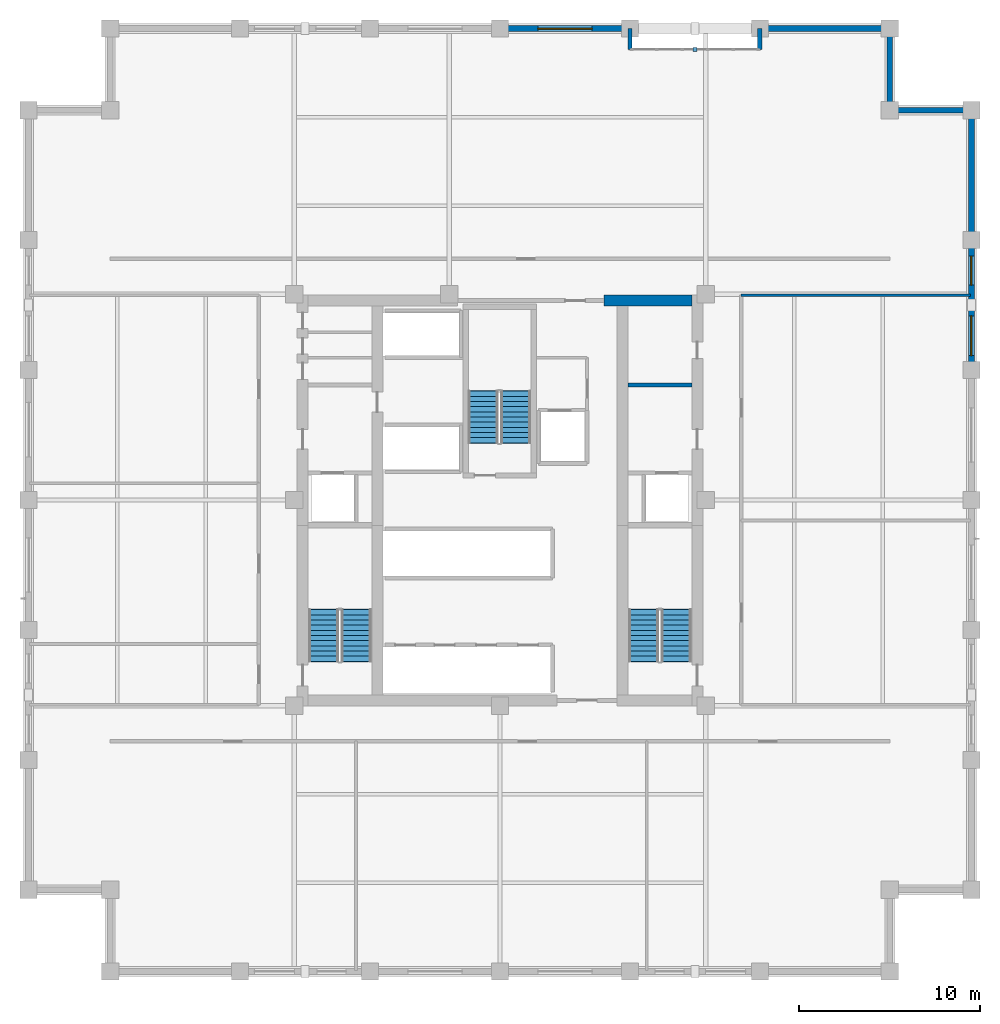
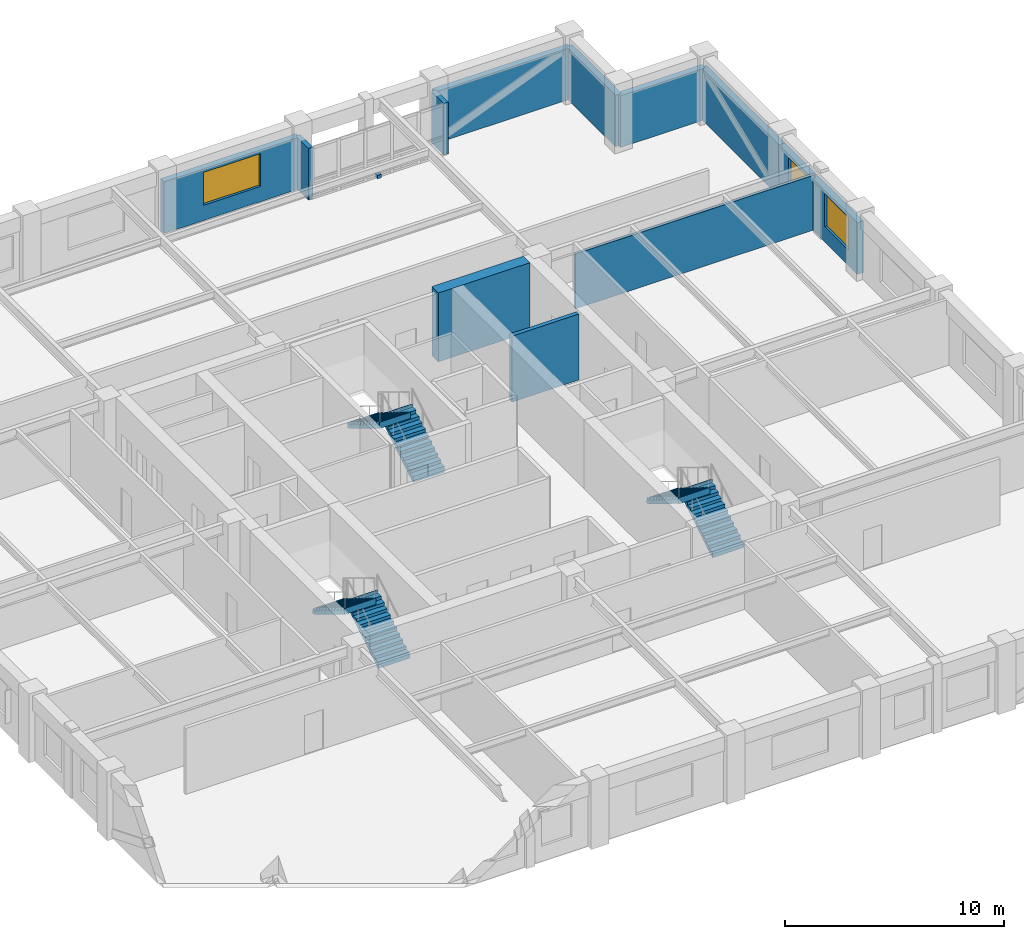
# One storey, part 9 of 11: 11 walls, 6 stair flights, 3 windows, 1 discrete accessory, 3 openings, 3 elements without a shape of their own.
"""IFC4 building model written with IfcOpenShell, lengths in metres."""

from ifc_helpers import new_model, si_unit, direction, frame, frame_2d, origin, origin_2d, place, context, subcontext, project, spatial, polyline, rectangle, outline, extrude, material, layer, layer_set, type_object, element, fill, aggregate, save


model = new_model("IFC4")

# Units and contexts
model_context = context("Model", 3, precision=1e-05, world=origin(), true_north=direction((0.0, 1.0)))
body_context = subcontext(model_context, "Body", "Model", "MODEL_VIEW")
ifc_project = project(units=[si_unit("LENGTHUNIT", "METRE"), si_unit("AREAUNIT", "SQUARE_METRE"), si_unit("VOLUMEUNIT", "CUBIC_METRE"), si_unit("PLANEANGLEUNIT", "RADIAN"), si_unit("MASSUNIT", "GRAM", prefix="KILO")], contexts=[model_context])

# Site, building, storey
site_placement = place(None, origin())
site = spatial("IfcSite", under=ifc_project, at=site_placement, CompositionType="ELEMENT")
building_placement = place(site_placement, origin())
building = spatial("IfcBuilding", under=site, at=building_placement, Name="Nhamokura Convention Tower", CompositionType="ELEMENT")
storey_placement = place(building_placement, frame((0.0, 0.0, 141.39990234375)))
storey = spatial("IfcBuildingStorey", under=building, at=storey_placement, Name="L34", CompositionType="ELEMENT", Elevation=141.39990234375)

# Walls
ifc_material_1 = material(Name="Bronze-pigmented precast concrete C45/55", Category="concrete")
ifc_layer_1 = layer(ifc_material_1, 0.320068359375)
ifc_layer_set_1 = layer_set([ifc_layer_1], Name="BronzePrecastSpandrel_320")
wall_type_1 = type_object("IfcWallType", Name="BronzePrecastSpandrel_320", PredefinedType="USERDEFINED", material=ifc_layer_set_1)
for number, where, z_axis, x_axis, name in (
    (1, (39.166748046875, 58.0, 0.0), (0.0, 0.0, 1.0), (0.0, -1.0, 0.0), "L34 Scale Slot Cheek Wall NORTHA"),
    (2, (46.333251953125, 58.0, 0.0), (0.0, 0.0, 1.0), (0.0, -1.0, 0.0), "L34 Scale Slot Cheek Wall NORTHB"),
):
    element("IfcWall", number, at=place(storey_placement, frame(where, z_axis=z_axis, x_axis=x_axis)), inside=storey, type_object=wall_type_1, Name=name, ObjectType="SPANDREL_WALL", PredefinedType="USERDEFINED", context=body_context, shape_type="SweptSolid", body=[
        extrude(rectangle(XDim=1.14990234375, YDim=0.239990234375, at=frame_2d((0.574951171875, 0.0))), origin(), (0.0, 0.0, 1.0), 2.885009765625),
    ])

# Wall, opening, window
wall_1_placement = place(storey_placement, frame((32.0, 58.0, 0.0), z_axis=(0.0, 0.0, 1.0), x_axis=(1.0, 0.0, 0.0)))
wall_1 = element("IfcWall", 3, at=wall_1_placement, inside=storey, type_object=wall_type_1, Name="L34 Masonry-Frame Wall NORTH 3", ObjectType="SPANDREL_WALL", PredefinedType="USERDEFINED", context=body_context, shape_type="SweptSolid", body=[
    extrude(rectangle(XDim=7.166748046875, YDim=0.320068359375, at=frame_2d((3.58349609375, 0.0))), origin(), (0.0, 0.0, 1.0), 2.885009765625),
])
opening_1_placement = place(wall_1_placement, frame((2.083251953125, 0.0, 0.85009765625)))
opening_1 = element("IfcOpeningElement", 4, at=opening_1_placement, cuts=wall_1, Name="Opening W-05", PredefinedType="OPENING", context=body_context, shape_type="SweptSolid", body=[
    extrude(rectangle(XDim=3.0, YDim=1.8349609375, at=frame_2d((1.5, 0.91748046875))), frame((0.0, 0.169921875, 0.0), z_axis=(0.0, -1.0, 0.0), x_axis=(1.0, 0.0, 0.0)), (0.0, 0.0, 1.0), 0.340087890625),
])
ifc_material_2 = material(Name="Solar-control bronze low-E double glass", Category="glass")
window_type_1 = type_object("IfcWindowType", Name="OfficeModuleWindow_Z2_3000", PartitioningType="DOUBLE_PANEL_VERTICAL", PredefinedType="WINDOW", material=ifc_material_2)
window_1_placement = place(opening_1_placement, origin())
window_1 = element("IfcWindow", 5, at=window_1_placement, inside=storey, type_object=window_type_1, Name="L34 Facade Window NORTH 3", OverallHeight=1.8349609375, OverallWidth=3.0, PartitioningType="SINGLE_PANEL", PredefinedType="WINDOW", context=body_context, shape_type="SweptSolid", body=[
    extrude(rectangle(XDim=3.0, YDim=1.8349609375, at=frame_2d((1.5, 0.91748046875))), frame((0.0, 0.030029296875, 0.0), z_axis=(0.0, -1.0, 0.0), x_axis=(1.0, 0.0, 0.0)), (0.0, 0.0, 1.0), 0.06005859375),
])
fill(opening_1, window_1)

# Wall
wall_2_placement = place(storey_placement, frame((46.333251953125, 58.0, 0.0), z_axis=(0.0, 0.0, 1.0), x_axis=(1.0, 0.0, 0.0)))
element("IfcWall", 6, at=wall_2_placement, inside=storey, type_object=wall_type_1, Name="L34 Braced-Bay Precast Wall NORTH 5", ObjectType="SPANDREL_WALL", PredefinedType="USERDEFINED", context=body_context, shape_type="SweptSolid", body=[
    extrude(rectangle(XDim=7.166748046875, YDim=0.320068359375, at=frame_2d((3.58349609375, 0.0))), origin(), (0.0, 0.0, 1.0), 2.885009765625),
])

# Wall, openings, windows
wall_3_placement = place(storey_placement, frame((58.0, 46.333251953125, 0.0), z_axis=(0.0, 0.0, 1.0), x_axis=(0.0, -1.0, 0.0)))
wall_3 = element("IfcWall", 7, at=wall_3_placement, inside=storey, type_object=wall_type_1, Name="L34 Masonry-Frame Wall EAST 4", ObjectType="SPANDREL_WALL", PredefinedType="USERDEFINED", context=body_context, shape_type="SweptSolid", body=[
    extrude(rectangle(XDim=7.16650390625, YDim=0.320068359375, at=frame_2d((3.583251953125, 0.0))), origin(), (0.0, 0.0, 1.0), 2.885009765625),
])
opening_2_placement = place(wall_3_placement, frame((0.879150390625, 0.0, 0.85009765625)))
opening_2 = element("IfcOpeningElement", 8, at=opening_2_placement, cuts=wall_3, Name="Opening W-11", PredefinedType="OPENING", context=body_context, shape_type="SweptSolid", body=[
    extrude(rectangle(XDim=1.60009765625, YDim=1.8349609375, at=frame_2d((0.800048828125, 0.91748046875))), frame((0.0, 0.169921875, 0.0), z_axis=(0.0, -1.0, 0.0), x_axis=(1.0, 0.0, 0.0)), (0.0, 0.0, 1.0), 0.340087890625),
])
opening_3_placement = place(wall_3_placement, frame((4.175048828125, 0.0, 0.85009765625)))
opening_3 = element("IfcOpeningElement", 9, at=opening_3_placement, cuts=wall_3, Name="Opening W-06", PredefinedType="OPENING", context=body_context, shape_type="SweptSolid", body=[
    extrude(rectangle(XDim=2.199951171875, YDim=1.8349609375, at=frame_2d((1.10009765625, 0.91748046875))), frame((0.0, 0.169921875, 0.0), z_axis=(0.0, -1.0, 0.0), x_axis=(1.0, 0.0, 0.0)), (0.0, 0.0, 1.0), 0.340087890625),
])
ifc_material_3 = material(Name="Solar-control bronze low-E double glass", Category="glass")
window_type_2 = type_object("IfcWindowType", Name="NotchCornerWindow_1600", PartitioningType="SINGLE_PANEL", PredefinedType="WINDOW", material=ifc_material_3)
window_2_placement = place(opening_2_placement, origin())
window_2 = element("IfcWindow", 10, at=window_2_placement, inside=storey, type_object=window_type_2, Name="L34 Facade Window EAST 4-1", OverallHeight=1.8349609375, OverallWidth=1.60009765625, PartitioningType="SINGLE_PANEL", PredefinedType="WINDOW", context=body_context, shape_type="SweptSolid", body=[
    extrude(rectangle(XDim=1.60009765625, YDim=1.8349609375, at=frame_2d((0.800048828125, 0.91748046875))), frame((0.0, 0.030029296875, 0.0), z_axis=(0.0, -1.0, 0.0), x_axis=(1.0, 0.0, 0.0)), (0.0, 0.0, 1.0), 0.06005859375),
])
fill(opening_2, window_2)
ifc_material_4 = material(Name="Solar-control bronze low-E double glass", Category="glass")
window_type_3 = type_object("IfcWindowType", Name="OfficeModuleWindow_Z2_2200", PartitioningType="SINGLE_PANEL", PredefinedType="WINDOW", material=ifc_material_4)
window_3_placement = place(opening_3_placement, origin())
window_3 = element("IfcWindow", 11, at=window_3_placement, inside=storey, type_object=window_type_3, Name="L34 Facade Window EAST 4-2", OverallHeight=1.8349609375, OverallWidth=2.199951171875, PartitioningType="SINGLE_PANEL", PredefinedType="WINDOW", context=body_context, shape_type="SweptSolid", body=[
    extrude(rectangle(XDim=2.199951171875, YDim=1.8349609375, at=frame_2d((1.10009765625, 0.91748046875))), frame((0.0, 0.030029296875, 0.0), z_axis=(0.0, -1.0, 0.0), x_axis=(1.0, 0.0, 0.0)), (0.0, 0.0, 1.0), 0.06005859375),
])
fill(opening_3, window_3)

# Walls
wall_4_placement = place(storey_placement, frame((58.0, 53.5, 0.0), z_axis=(0.0, 0.0, 1.0), x_axis=(0.0, -1.0, 0.0)))
element("IfcWall", 12, at=wall_4_placement, inside=storey, type_object=wall_type_1, Name="L34 Braced-Bay Precast Wall EAST 5", ObjectType="SPANDREL_WALL", PredefinedType="USERDEFINED", context=body_context, shape_type="SweptSolid", body=[
    extrude(rectangle(XDim=7.166748046875, YDim=0.320068359375, at=frame_2d((3.58349609375, 0.0))), origin(), (0.0, 0.0, 1.0), 2.885009765625),
])
for number, where, z_axis, x_axis, name in (
    (13, (53.5, 53.5, 0.0), (0.0, 0.0, 1.0), (1.0, 0.0, 0.0), "L34 Notched Corner Wall NE1"),
    (14, (53.5, 58.0, 0.0), (0.0, 0.0, 1.0), (0.0, -1.0, 0.0), "L34 Notched Corner Wall NE2"),
):
    element("IfcWall", number, at=place(storey_placement, frame(where, z_axis=z_axis, x_axis=x_axis)), inside=storey, type_object=wall_type_1, Name=name, ObjectType="SPANDREL_WALL", PredefinedType="USERDEFINED", context=body_context, shape_type="SweptSolid", body=[
        extrude(rectangle(XDim=4.5, YDim=0.320068359375, at=frame_2d((2.25, 0.0))), origin(), (0.0, 0.0, 1.0), 2.885009765625),
    ])
ifc_material_5 = material(Name="Concrete C60/75", Category="concrete")
ifc_layer_2 = layer(ifc_material_5, 0.60009765625)
ifc_layer_set_2 = layer_set([ifc_layer_2], Name="CoreShearWall_600")
wall_type_2 = type_object("IfcWallType", Name="CoreShearWall_600", PredefinedType="SHEAR", material=ifc_layer_set_2)
wall_5_placement = place(storey_placement, frame((37.75, 43.0, 0.0), z_axis=(0.0, 0.0, 1.0), x_axis=(1.0, 0.0, 0.0)))
element("IfcWall", 15, at=wall_5_placement, inside=storey, type_object=wall_type_2, Name="L34 Core Shear Wall CW-N2", PredefinedType="SHEAR", context=body_context, shape_type="SweptSolid", body=[
    extrude(rectangle(XDim=4.840087890625, YDim=0.60009765625, at=frame_2d((2.419921875, 0.0))), origin(), (0.0, 0.0, 1.0), 3.85009765625),
])
ifc_material_6 = material(Name="Autoclaved concrete blockwork", Category="masonry")
ifc_layer_3 = layer(ifc_material_6, 0.219970703125)
ifc_layer_set_3 = layer_set([ifc_layer_3], Name="FireLobbyWall_220")
wall_type_3 = type_object("IfcWallType", Name="FireLobbyWall_220", PredefinedType="STANDARD", material=ifc_layer_set_3)
wall_6_placement = place(storey_placement, frame((39.06005859375, 38.35009765625, 0.0), z_axis=(0.0, 0.0, 1.0), x_axis=(1.0, 0.0, 0.0)))
element("IfcWall", 16, at=wall_6_placement, inside=storey, type_object=wall_type_3, Name="L34 Wall INT-L34-FFE-N", PredefinedType="STANDARD", context=body_context, shape_type="SweptSolid", body=[
    extrude(rectangle(XDim=3.530029296875, YDim=0.219970703125, at=frame_2d((1.76513671875, 0.0))), origin(), (0.0, 0.0, 1.0), 3.68505859375),
])
ifc_material_7 = material(Name="Acoustic gypsum stud partition", Category="masonry")
ifc_layer_4 = layer(ifc_material_7, 0.14990234375)
ifc_layer_set_4 = layer_set([ifc_layer_4], Name="InteriorPartition_150")
wall_type_4 = type_object("IfcWallType", Name="InteriorPartition_150", PredefinedType="STANDARD", material=ifc_layer_set_4)
wall_7_placement = place(storey_placement, frame((45.300048828125, 43.300048828125, 0.0), z_axis=(0.0, 0.0, 1.0), x_axis=(1.0, 0.0, 0.0)))
element("IfcWall", 17, at=wall_7_placement, inside=storey, type_object=wall_type_4, Name="L34 Wall INT-L34-RWT-E", PredefinedType="STANDARD", context=body_context, shape_type="SweptSolid", body=[
    extrude(rectangle(XDim=12.639892578125, YDim=0.14990234375, at=frame_2d((6.31982421875, 0.0))), origin(), (0.0, 0.0, 1.0), 3.065185546875),
])

# Stair, stair flights
ifc_material_8 = material(Name="Concrete C40/50", Category="concrete")
stair_type = type_object("IfcStairType", Name="TowerCoreStair_1650", PredefinedType="HALF_TURN_STAIR", material=ifc_material_8)
stair_1_placement = place(storey_placement, origin())
stair_1 = element("IfcStair", 18, at=stair_1_placement, inside=storey, type_object=stair_type, Name="L34 West Core Smokeproof Stair ST-01", PredefinedType="HALF_TURN_STAIR")
ifc_material_9 = material(Name="Concrete C40/50", Category="concrete")
stair_flight_type = type_object("IfcStairFlightType", Name="TowerCoreStair_1650_Flight", PredefinedType="STRAIGHT", material=ifc_material_9)
stair_flight_1_placement = place(storey_placement, frame((24.074951171875, 23.10009765625, 0.0), z_axis=(0.0, 0.0, 1.0), x_axis=(0.0, 1.0, 0.0)))
stair_flight_1 = element("IfcStairFlight", 19, at=stair_flight_1_placement, type_object=stair_flight_type, Name="ST-01 flight 1", NumberOfRisers=11, NumberOfTreads=10, PredefinedType="STRAIGHT", RiserHeight=0.175, TreadLength=0.285, context=body_context, shape_type="SweptSolid", body=[
    extrude(outline(polyline([(-0.0419921875, 0.0), (0.0, 0.175048828125), (0.284912109375, 0.175048828125), (0.284912109375, 0.35009765625), (0.570068359375, 0.35009765625), (0.570068359375, 0.52490234375), (0.85498046875, 0.52490234375), (0.85498046875, 0.699951171875), (1.139892578125, 0.699951171875), (1.139892578125, 0.875), (1.425048828125, 0.875), (1.425048828125, 1.050048828125), (1.7099609375, 1.050048828125), (1.7099609375, 1.22509765625), (1.9951171875, 1.22509765625), (1.9951171875, 1.39990234375), (2.280029296875, 1.39990234375), (2.280029296875, 1.574951171875), (2.56494140625, 1.574951171875), (2.56494140625, 1.75), (2.85009765625, 1.75), (2.85009765625, 1.925048828125), (2.89208984375, 1.925048828125), (2.89208984375, 1.573974609375), (2.85009765625, 1.573974609375), (0.286376953125, 0.0), (0.02001953125, -0.1298828125), (-0.0419921875, -0.1298828125), (-0.0419921875, 0.0)])), frame((0.0, 0.824951171875, 0.0), z_axis=(0.0, -1.0, 0.0), x_axis=(1.0, 0.0, 0.0)), (0.0, 0.0, 1.0), 1.64990234375),
])
stair_flight_2_placement = place(storey_placement, frame((22.27490234375, 25.949951171875, 1.925048828125), z_axis=(0.0, 0.0, 1.0), x_axis=(0.0, -1.0, 0.0)))
stair_flight_2 = element("IfcStairFlight", 20, at=stair_flight_2_placement, type_object=stair_flight_type, Name="ST-01 flight 2", NumberOfRisers=11, NumberOfTreads=10, PredefinedType="STRAIGHT", RiserHeight=0.175, TreadLength=0.285, context=body_context, shape_type="SweptSolid", body=[
    extrude(outline(polyline([(-0.0419921875, 0.0), (0.0, 0.175048828125), (0.284912109375, 0.175048828125), (0.284912109375, 0.35009765625), (0.570068359375, 0.35009765625), (0.570068359375, 0.52490234375), (0.85498046875, 0.52490234375), (0.85498046875, 0.699951171875), (1.139892578125, 0.699951171875), (1.139892578125, 0.875), (1.425048828125, 0.875), (1.425048828125, 1.050048828125), (1.7099609375, 1.050048828125), (1.7099609375, 1.22509765625), (1.9951171875, 1.22509765625), (1.9951171875, 1.39990234375), (2.280029296875, 1.39990234375), (2.280029296875, 1.574951171875), (2.56494140625, 1.574951171875), (2.56494140625, 1.75), (2.85009765625, 1.75), (2.85009765625, 1.925048828125), (2.89208984375, 1.925048828125), (2.89208984375, 1.573974609375), (2.85009765625, 1.573974609375), (0.286376953125, 0.0), (0.02001953125, -0.1298828125), (-0.0419921875, -0.1298828125), (-0.0419921875, 0.0)])), frame((0.0, 0.824951171875, 0.0), z_axis=(0.0, -1.0, 0.0), x_axis=(1.0, 0.0, 0.0)), (0.0, 0.0, 1.0), 1.64990234375),
])
aggregate(stair_1, [stair_flight_1, stair_flight_2])

stair_2_placement = place(storey_placement, origin())
stair_2 = element("IfcStair", 21, at=stair_2_placement, inside=storey, type_object=stair_type, Name="L34 East Core Smokeproof Stair ST-02", PredefinedType="HALF_TURN_STAIR")
stair_flight_3_placement = place(storey_placement, frame((41.72509765625, 23.10009765625, 0.0), z_axis=(0.0, 0.0, 1.0), x_axis=(0.0, 1.0, 0.0)))
stair_flight_3 = element("IfcStairFlight", 22, at=stair_flight_3_placement, type_object=stair_flight_type, Name="ST-02 flight 1", NumberOfRisers=11, NumberOfTreads=10, PredefinedType="STRAIGHT", RiserHeight=0.175, TreadLength=0.285, context=body_context, shape_type="SweptSolid", body=[
    extrude(outline(polyline([(-0.0419921875, 0.0), (0.0, 0.175048828125), (0.284912109375, 0.175048828125), (0.284912109375, 0.35009765625), (0.570068359375, 0.35009765625), (0.570068359375, 0.52490234375), (0.85498046875, 0.52490234375), (0.85498046875, 0.699951171875), (1.139892578125, 0.699951171875), (1.139892578125, 0.875), (1.425048828125, 0.875), (1.425048828125, 1.050048828125), (1.7099609375, 1.050048828125), (1.7099609375, 1.22509765625), (1.9951171875, 1.22509765625), (1.9951171875, 1.39990234375), (2.280029296875, 1.39990234375), (2.280029296875, 1.574951171875), (2.56494140625, 1.574951171875), (2.56494140625, 1.75), (2.85009765625, 1.75), (2.85009765625, 1.925048828125), (2.89208984375, 1.925048828125), (2.89208984375, 1.573974609375), (2.85009765625, 1.573974609375), (0.286376953125, 0.0), (0.02001953125, -0.1298828125), (-0.0419921875, -0.1298828125), (-0.0419921875, 0.0)])), frame((0.0, 0.824951171875, 0.0), z_axis=(0.0, -1.0, 0.0), x_axis=(1.0, 0.0, 0.0)), (0.0, 0.0, 1.0), 1.64990234375),
])
stair_flight_4_placement = place(storey_placement, frame((39.925048828125, 25.949951171875, 1.925048828125), z_axis=(0.0, 0.0, 1.0), x_axis=(0.0, -1.0, 0.0)))
stair_flight_4 = element("IfcStairFlight", 23, at=stair_flight_4_placement, type_object=stair_flight_type, Name="ST-02 flight 2", NumberOfRisers=11, NumberOfTreads=10, PredefinedType="STRAIGHT", RiserHeight=0.175, TreadLength=0.285, context=body_context, shape_type="SweptSolid", body=[
    extrude(outline(polyline([(-0.0419921875, 0.0), (0.0, 0.175048828125), (0.284912109375, 0.175048828125), (0.284912109375, 0.35009765625), (0.570068359375, 0.35009765625), (0.570068359375, 0.52490234375), (0.85498046875, 0.52490234375), (0.85498046875, 0.699951171875), (1.139892578125, 0.699951171875), (1.139892578125, 0.875), (1.425048828125, 0.875), (1.425048828125, 1.050048828125), (1.7099609375, 1.050048828125), (1.7099609375, 1.22509765625), (1.9951171875, 1.22509765625), (1.9951171875, 1.39990234375), (2.280029296875, 1.39990234375), (2.280029296875, 1.574951171875), (2.56494140625, 1.574951171875), (2.56494140625, 1.75), (2.85009765625, 1.75), (2.85009765625, 1.925048828125), (2.89208984375, 1.925048828125), (2.89208984375, 1.573974609375), (2.85009765625, 1.573974609375), (0.286376953125, 0.0), (0.02001953125, -0.1298828125), (-0.0419921875, -0.1298828125), (-0.0419921875, 0.0)])), frame((0.0, 0.824951171875, 0.0), z_axis=(0.0, -1.0, 0.0), x_axis=(1.0, 0.0, 0.0)), (0.0, 0.0, 1.0), 1.64990234375),
])
aggregate(stair_2, [stair_flight_3, stair_flight_4])

stair_3_placement = place(storey_placement, origin())
stair_3 = element("IfcStair", 24, at=stair_3_placement, inside=storey, type_object=stair_type, Name="L34 North Core Smokeproof Stair ST-03", PredefinedType="HALF_TURN_STAIR")
stair_flight_5_placement = place(storey_placement, frame((32.875, 35.14990234375, 0.0), z_axis=(0.0, 0.0, 1.0), x_axis=(0.0, 1.0, 0.0)))
stair_flight_5 = element("IfcStairFlight", 25, at=stair_flight_5_placement, type_object=stair_flight_type, Name="ST-03 flight 1", NumberOfRisers=11, NumberOfTreads=10, PredefinedType="STRAIGHT", RiserHeight=0.175, TreadLength=0.285, context=body_context, shape_type="SweptSolid", body=[
    extrude(outline(polyline([(-0.0419921875, 0.0), (0.0, 0.175048828125), (0.284912109375, 0.175048828125), (0.284912109375, 0.35009765625), (0.570068359375, 0.35009765625), (0.570068359375, 0.52490234375), (0.85498046875, 0.52490234375), (0.85498046875, 0.699951171875), (1.139892578125, 0.699951171875), (1.139892578125, 0.875), (1.425048828125, 0.875), (1.425048828125, 1.050048828125), (1.7099609375, 1.050048828125), (1.7099609375, 1.22509765625), (1.9951171875, 1.22509765625), (1.9951171875, 1.39990234375), (2.280029296875, 1.39990234375), (2.280029296875, 1.574951171875), (2.56494140625, 1.574951171875), (2.56494140625, 1.75), (2.85009765625, 1.75), (2.85009765625, 1.925048828125), (2.89208984375, 1.925048828125), (2.89208984375, 1.573974609375), (2.85009765625, 1.573974609375), (0.286376953125, 0.0), (0.02001953125, -0.1298828125), (-0.0419921875, -0.1298828125), (-0.0419921875, 0.0)])), frame((0.0, 0.824951171875, 0.0), z_axis=(0.0, -1.0, 0.0), x_axis=(1.0, 0.0, 0.0)), (0.0, 0.0, 1.0), 1.64990234375),
])
stair_flight_6_placement = place(storey_placement, frame((31.074951171875, 38.0, 1.925048828125), z_axis=(0.0, 0.0, 1.0), x_axis=(0.0, -1.0, 0.0)))
stair_flight_6 = element("IfcStairFlight", 26, at=stair_flight_6_placement, type_object=stair_flight_type, Name="ST-03 flight 2", NumberOfRisers=11, NumberOfTreads=10, PredefinedType="STRAIGHT", RiserHeight=0.175, TreadLength=0.285, context=body_context, shape_type="SweptSolid", body=[
    extrude(outline(polyline([(-0.0419921875, 0.0), (0.0, 0.175048828125), (0.284912109375, 0.175048828125), (0.284912109375, 0.35009765625), (0.570068359375, 0.35009765625), (0.570068359375, 0.52490234375), (0.85498046875, 0.52490234375), (0.85498046875, 0.699951171875), (1.139892578125, 0.699951171875), (1.139892578125, 0.875), (1.425048828125, 0.875), (1.425048828125, 1.050048828125), (1.7099609375, 1.050048828125), (1.7099609375, 1.22509765625), (1.9951171875, 1.22509765625), (1.9951171875, 1.39990234375), (2.280029296875, 1.39990234375), (2.280029296875, 1.574951171875), (2.56494140625, 1.574951171875), (2.56494140625, 1.75), (2.85009765625, 1.75), (2.85009765625, 1.925048828125), (2.89208984375, 1.925048828125), (2.89208984375, 1.573974609375), (2.85009765625, 1.573974609375), (0.286376953125, 0.0), (0.02001953125, -0.1298828125), (-0.0419921875, -0.1298828125), (-0.0419921875, 0.0)])), frame((0.0, 0.824951171875, 0.0), z_axis=(0.0, -1.0, 0.0), x_axis=(1.0, 0.0, 0.0)), (0.0, 0.0, 1.0), 1.64990234375),
])
aggregate(stair_3, [stair_flight_5, stair_flight_6])

# Discrete accessory
ifc_material_10 = material(Name="Steel ASTM A572 Gr 50", Category="steel")
discrete_accessory_type = type_object("IfcDiscreteAccessoryType", Name="FacadeOutstandBracket", PredefinedType="BRACKET", material=ifc_material_10)
discrete_accessory_placement = place(storey_placement, frame((42.75, 56.85009765625, -0.02001953125), z_axis=(0.0, 0.0, 1.0), x_axis=(1.0, 0.0, 0.0)))
element("IfcDiscreteAccessory", 27, at=discrete_accessory_placement, inside=storey, type_object=discrete_accessory_type, Name="L34 Scale Slot Base Shoe Bracket NORTH 4", PredefinedType="BRACKET", context=body_context, shape_type="SweptSolid", body=[
    extrude(rectangle(XDim=0.219970703125, YDim=0.219970703125, at=origin_2d()), origin(), (0.0, 0.0, 1.0), 0.199951171875),
])

save(model, "model.ifc")
